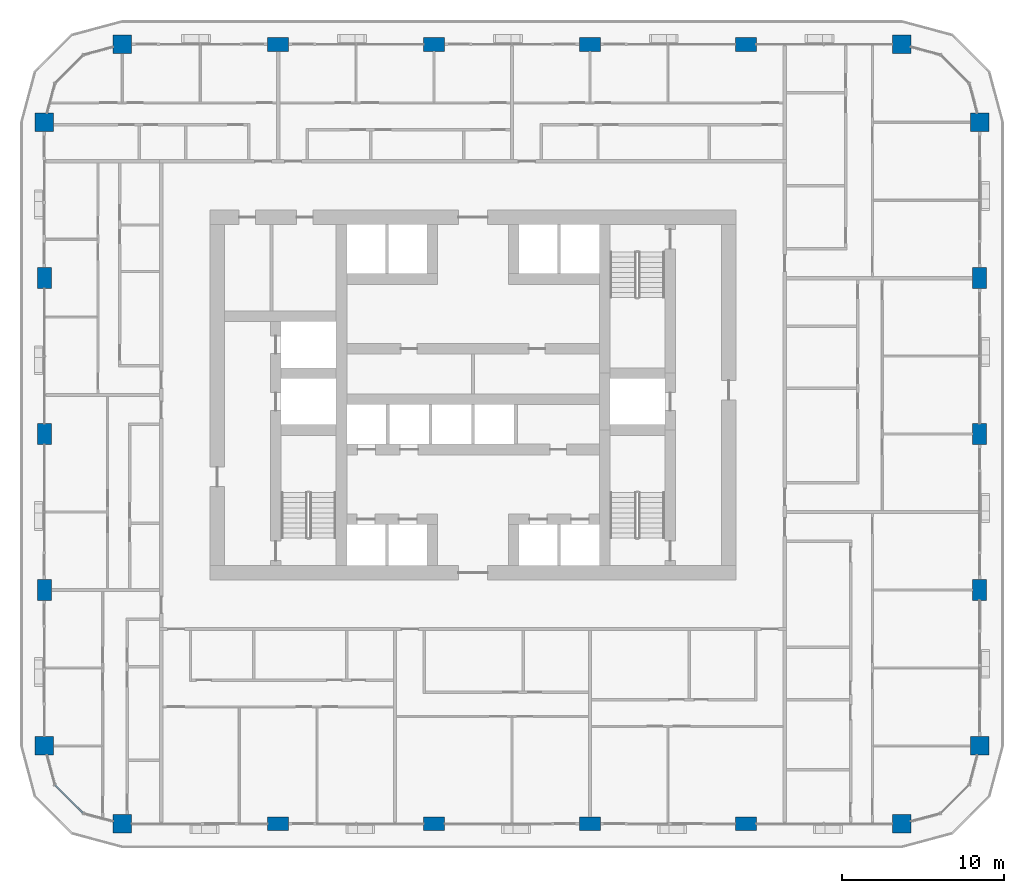
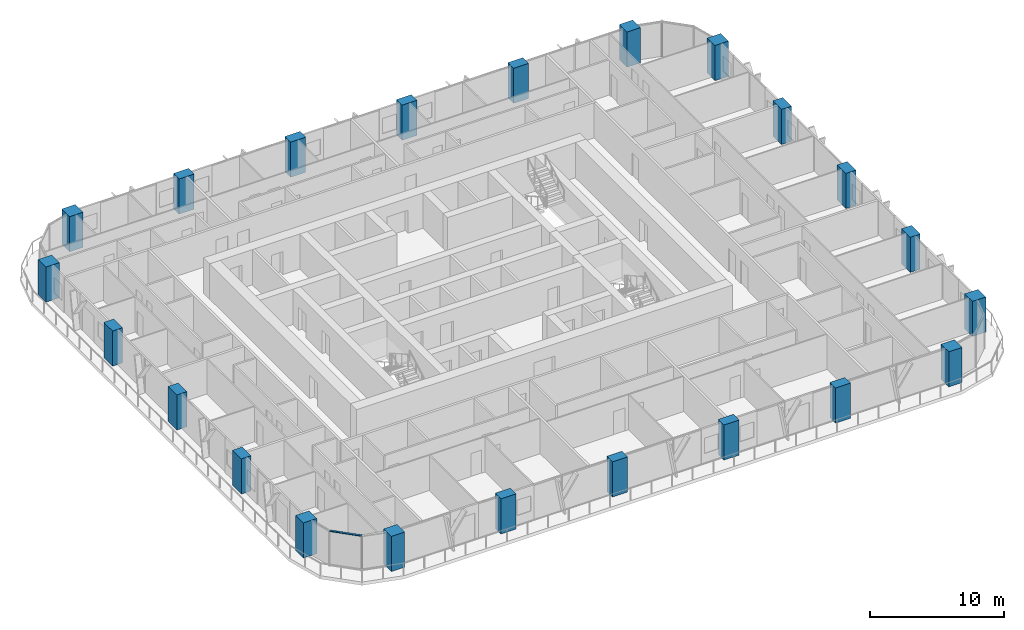
# One storey, part 1 of 22: 22 columns, 1 member, 1 element without a shape of its own.
"""IFC4 building model written with IfcOpenShell, lengths in metres."""

from ifc_helpers import new_model, si_unit, direction, frame, origin, origin_2d, place, context, subcontext, project, spatial, rectangle, extrude, material, layer, layer_set, material_profile, profile_set, type_object, element, aggregate, save


model = new_model("IFC4")

# Units and contexts
model_context = context("Model", 3, precision=1e-05, world=origin(), true_north=direction((0.0, 1.0)))
body_context = subcontext(model_context, "Body", "Model", "MODEL_VIEW")
ifc_project = project(units=[si_unit("LENGTHUNIT", "METRE"), si_unit("AREAUNIT", "SQUARE_METRE"), si_unit("VOLUMEUNIT", "CUBIC_METRE"), si_unit("PLANEANGLEUNIT", "RADIAN"), si_unit("MASSUNIT", "GRAM", prefix="KILO")], contexts=[model_context])

# Site, building, storey
site_placement = place(None, origin())
site = spatial("IfcSite", under=ifc_project, at=site_placement, CompositionType="ELEMENT")
building_placement = place(site_placement, origin())
building = spatial("IfcBuilding", under=site, at=building_placement, Name="Madar Terraces", CompositionType="ELEMENT")
storey_placement = place(building_placement, frame((0.0, 0.0, 73.300048828125)))
storey = spatial("IfcBuildingStorey", under=building, at=storey_placement, Name="L18", CompositionType="ELEMENT", Elevation=73.300048828125)

# Columns
ifc_material_1 = material(Name="Concrete C80/95", Category="concrete")
ifc_material_profile_1 = material_profile(ifc_material_1, rectangle(XDim=1.300048828125, YDim=0.85009765625, at=origin_2d()), Name="CC2 RC 1300x850")
ifc_profile_set_1 = profile_set([ifc_material_profile_1], Name="Concrete C80/95")
column_type_1 = type_object("IfcColumnType", Name="CC2 RC 1300x850", PredefinedType="COLUMN", material=ifc_profile_set_1)
for number, where, z_axis, x_axis, name in (
    (1, (19.199951171875, 0.0, 0.0), (0.0, 0.0, 1.0), (1.0, 0.0, 0.0), "Perimeter column S2"),
    (2, (28.800048828125, 0.0, 0.0), (0.0, 0.0, 1.0), (1.0, 0.0, 0.0), "Perimeter column S3"),
    (3, (38.39990234375, 0.0, 0.0), (0.0, 0.0, 1.0), (1.0, 0.0, 0.0), "Perimeter column S4"),
    (4, (48.0, 0.0, 0.0), (0.0, 0.0, 1.0), (1.0, 0.0, 0.0), "Perimeter column S5"),
    (5, (62.39990234375, 14.39990234375, 0.0), (0.0, 0.0, 1.0), (0.0, 1.0, 0.0), "Perimeter column E2"),
    (6, (62.39990234375, 24.0, 0.0), (0.0, 0.0, 1.0), (0.0, 1.0, 0.0), "Perimeter column E3"),
    (7, (62.39990234375, 33.60009765625, 0.0), (0.0, 0.0, 1.0), (0.0, 1.0, 0.0), "Perimeter column E4"),
    (8, (48.0, 48.0, 0.0), (0.0, 0.0, 1.0), (1.0, 0.0, 0.0), "Perimeter column N2"),
    (9, (38.39990234375, 48.0, 0.0), (0.0, 0.0, 1.0), (1.0, 0.0, 0.0), "Perimeter column N3"),
    (10, (28.800048828125, 48.0, 0.0), (0.0, 0.0, 1.0), (1.0, 0.0, 0.0), "Perimeter column N4"),
    (11, (19.199951171875, 48.0, 0.0), (0.0, 0.0, 1.0), (1.0, 0.0, 0.0), "Perimeter column N5"),
    (12, (4.800048828125, 33.60009765625, 0.0), (0.0, 0.0, 1.0), (0.0, 1.0, 0.0), "Perimeter column W2"),
    (13, (4.800048828125, 24.0, 0.0), (0.0, 0.0, 1.0), (0.0, 1.0, 0.0), "Perimeter column W3"),
    (14, (4.800048828125, 14.39990234375, 0.0), (0.0, 0.0, 1.0), (0.0, 1.0, 0.0), "Perimeter column W4"),
):
    element("IfcColumn", number, at=place(storey_placement, frame(where, z_axis=z_axis, x_axis=x_axis)), inside=storey, type_object=column_type_1, Name=name, PredefinedType="COLUMN", context=body_context, shape_type="SweptSolid", body=[
        extrude(rectangle(XDim=1.300048828125, YDim=0.85009765625, at=origin_2d()), origin(), (0.0, 0.0, 1.0), 3.199951171875),
    ])
ifc_material_2 = material(Name="Concrete C80/95", Category="concrete")
ifc_material_profile_2 = material_profile(ifc_material_2, rectangle(XDim=1.14990234375, YDim=1.14990234375, at=origin_2d()), Name="KC2 RC 1150x1150")
ifc_profile_set_2 = profile_set([ifc_material_profile_2], Name="Concrete C80/95")
column_type_2 = type_object("IfcColumnType", Name="KC2 RC 1150x1150", PredefinedType="COLUMN", material=ifc_profile_set_2)
for number, where, z_axis, x_axis, name in (
    (15, (9.60009765625, 0.0, 0.0), (0.0, 0.0, 1.0), (1.0, 0.0, 0.0), "Perimeter column S1"),
    (16, (57.60009765625, 0.0, 0.0), (0.0, 0.0, 1.0), (1.0, 0.0, 0.0), "Perimeter column S6"),
    (17, (62.39990234375, 4.800048828125, 0.0), (0.0, 0.0, 1.0), (1.0, 0.0, 0.0), "Perimeter column E1"),
    (18, (62.39990234375, 43.199951171875, 0.0), (0.0, 0.0, 1.0), (1.0, 0.0, 0.0), "Perimeter column E5"),
    (19, (57.60009765625, 48.0, 0.0), (0.0, 0.0, 1.0), (1.0, 0.0, 0.0), "Perimeter column N1"),
    (20, (9.60009765625, 48.0, 0.0), (0.0, 0.0, 1.0), (1.0, 0.0, 0.0), "Perimeter column N6"),
    (21, (4.800048828125, 43.199951171875, 0.0), (0.0, 0.0, 1.0), (1.0, 0.0, 0.0), "Perimeter column W1"),
    (22, (4.800048828125, 4.800048828125, 0.0), (0.0, 0.0, 1.0), (1.0, 0.0, 0.0), "Perimeter column W5"),
):
    element("IfcColumn", number, at=place(storey_placement, frame(where, z_axis=z_axis, x_axis=x_axis)), inside=storey, type_object=column_type_2, Name=name, PredefinedType="COLUMN", context=body_context, shape_type="SweptSolid", body=[
        extrude(rectangle(XDim=1.14990234375, YDim=1.14990234375, at=origin_2d()), origin(), (0.0, 0.0, 1.0), 3.199951171875),
    ])

# Curtain wall, member
ifc_material_3 = material(Name="Glass, ceramic frit dark grey, with black aluminium frame", Category="aluminium")
ifc_layer = layer(ifc_material_3, 0.199951171875)
ifc_layer_set = layer_set([ifc_layer], Name="Facade curtain wall, fritted glass")
curtain_wall_type = type_object("IfcCurtainWallType", Name="Facade curtain wall, fritted glass", PredefinedType="NOTDEFINED", material=ifc_layer_set)
curtain_wall_placement = place(storey_placement, origin())
curtain_wall = element("IfcCurtainWall", 23, at=curtain_wall_placement, inside=storey, type_object=curtain_wall_type, Name="Outer skin curtain wall south-west corner", PredefinedType="NOTDEFINED")
ifc_material_4 = material(Name="Aluminium, black anodised", Category="aluminium")
ifc_material_profile_3 = material_profile(ifc_material_4, rectangle(XDim=0.1201171875, YDim=0.06005859375, at=origin_2d()), Name="Facade transom 60x120")
ifc_profile_set_3 = profile_set([ifc_material_profile_3], Name="Aluminium, black anodised")
member_type = type_object("IfcMemberType", Name="Facade transom 60x120", PredefinedType="USERDEFINED", material=ifc_profile_set_3)
member_placement = place(storey_placement, frame((5.46435546875, 2.37890625, 3.169921875), z_axis=(0.707056433593, -0.707157125196, 0.0), x_axis=(0.707157125196, 0.707056433593, 0.0)))
member = element("IfcMember", 24, at=member_placement, type_object=member_type, Name="Transom 2", ObjectType="TRANSOM", PredefinedType="USERDEFINED", context=body_context, shape_type="SweptSolid", body=[
    extrude(rectangle(XDim=0.1201171875, YDim=0.06005859375, at=origin_2d()), origin(), (0.0, 0.0, 1.0), 2.424560546875),
])
aggregate(curtain_wall, [member])

save(model, "model.ifc")
